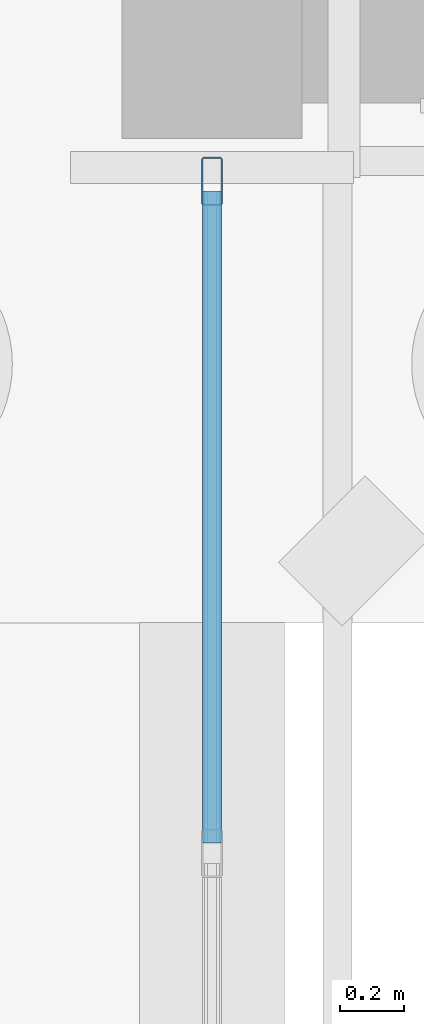
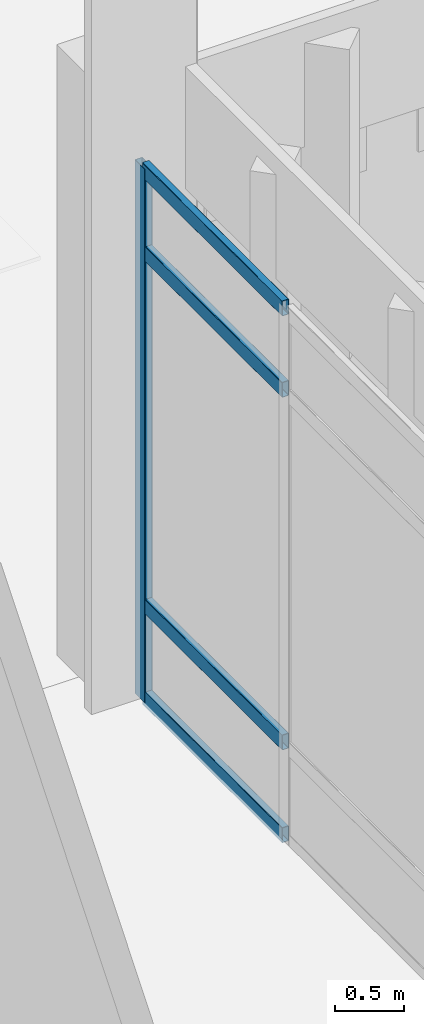
# One storey, part 42 of 109: 5 members, 1 element without a shape of its own.
"""IFC4 building model written with IfcOpenShell, lengths in metres."""

from ifc_helpers import new_model, si_unit, direction, frame, origin, origin_2d, place, context, subcontext, project, spatial, hollow_rectangle, extrude, material, material_profile, profile_set, type_object, element, aggregate, save


model = new_model("IFC4")

# Units and contexts
model_context = context("Model", 3, precision=1e-05, world=origin(), true_north=direction((0.0, 1.0)))
body_context = subcontext(model_context, "Body", "Model", "MODEL_VIEW")
ifc_project = project(units=[si_unit("LENGTHUNIT", "METRE"), si_unit("AREAUNIT", "SQUARE_METRE"), si_unit("VOLUMEUNIT", "CUBIC_METRE"), si_unit("PLANEANGLEUNIT", "RADIAN"), si_unit("MASSUNIT", "GRAM", prefix="KILO")], contexts=[model_context])

# Site, building, storey
site_placement = place(None, origin())
site = spatial("IfcSite", under=ifc_project, at=site_placement, CompositionType="ELEMENT")
building_placement = place(site_placement, origin())
building = spatial("IfcBuilding", under=site, at=building_placement, Name="Lusvemor Sports Hall", CompositionType="ELEMENT")
storey_placement = place(building_placement, origin())
storey = spatial("IfcBuildingStorey", under=building, at=storey_placement, Name="L00", CompositionType="ELEMENT", Elevation=0.0)

# Curtain wall, members
ifc_material_1 = material(Name="Thermally broken bronze-anodized aluminium", Category="aluminium")
curtain_wall_type = type_object("IfcCurtainWallType", Name="CW_WING_B", PredefinedType="NOTDEFINED", material=ifc_material_1)
curtain_wall_placement = place(storey_placement, origin())
curtain_wall = element("IfcCurtainWall", 1, at=curtain_wall_placement, inside=storey, type_object=curtain_wall_type, Name="Curtain Wall CW-L00-E-4-6", PredefinedType="NOTDEFINED")
ifc_material_2 = material(Name="Thermally broken bronze-anodized aluminium", Category="aluminium")
ifc_material_profile_1 = material_profile(ifc_material_2, hollow_rectangle(XDim=0.06494140625, YDim=0.14990234375, WallThickness=0.00390625, InnerFilletRadius=0.00390625, OuterFilletRadius=0.008056640625, at=origin_2d()), Name="CWMUL150x65x4")
ifc_profile_set_1 = profile_set([ifc_material_profile_1], Name="Thermally broken bronze-anodized aluminium")
member_type_1 = type_object("IfcMemberType", Name="CW_MUL_B", PredefinedType="MULLION", material=ifc_profile_set_1)
member_1_placement = place(storey_placement, frame((21.60009765625, 96.74755859375, 0.0), z_axis=(0.0, 0.0, 1.0), x_axis=(1.0, 0.0, 0.0)))
member_1 = element("IfcMember", 2, at=member_1_placement, type_object=member_type_1, Name="CW02 mullion 1", PredefinedType="MULLION", context=body_context, shape_type="SweptSolid", body=[
    extrude(hollow_rectangle(XDim=0.06494140625, YDim=0.14990234375, WallThickness=0.00390625, InnerFilletRadius=0.00390625, OuterFilletRadius=0.008056640625, at=origin_2d()), origin(), (0.0, 0.0, 1.0), 4.719970703125),
])
ifc_material_3 = material(Name="Thermally broken bronze-anodized aluminium", Category="aluminium")
ifc_material_profile_2 = material_profile(ifc_material_3, hollow_rectangle(XDim=0.06005859375, YDim=0.135009765625, WallThickness=0.00390625, InnerFilletRadius=0.00390625, OuterFilletRadius=0.008056640625, at=origin_2d()), Name="CWTRN135x60x4")
ifc_profile_set_2 = profile_set([ifc_material_profile_2], Name="Thermally broken bronze-anodized aluminium")
member_type_2 = type_object("IfcMemberType", Name="CW_TRN_B", PredefinedType="USERDEFINED", material=ifc_profile_set_2)
member_2_placement = place(storey_placement, frame((21.60009765625, 96.715087890625, 0.030029296875), z_axis=(0.0, -1.0, 0.0), x_axis=(1.0, 0.0, 0.0)))
member_2 = element("IfcMember", 3, at=member_2_placement, type_object=member_type_2, Name="CW02 transom 1.1", ObjectType="TRANSOM", PredefinedType="USERDEFINED", context=body_context, shape_type="SweptSolid", body=[
    extrude(hollow_rectangle(XDim=0.06005859375, YDim=0.135009765625, WallThickness=0.00390625, InnerFilletRadius=0.00390625, OuterFilletRadius=0.008056640625, at=origin_2d()), origin(), (0.0, 0.0, 1.0), 2.022705078125),
])
member_3_placement = place(storey_placement, frame((21.60009765625, 96.715087890625, 0.85009765625), z_axis=(0.0, -1.0, 0.0), x_axis=(1.0, 0.0, 0.0)))
member_3 = element("IfcMember", 4, at=member_3_placement, type_object=member_type_2, Name="CW02 transom 1.2", ObjectType="TRANSOM", PredefinedType="USERDEFINED", context=body_context, shape_type="SweptSolid", body=[
    extrude(hollow_rectangle(XDim=0.06005859375, YDim=0.135009765625, WallThickness=0.00390625, InnerFilletRadius=0.00390625, OuterFilletRadius=0.008056640625, at=origin_2d()), origin(), (0.0, 0.0, 1.0), 2.022705078125),
])
member_4_placement = place(storey_placement, frame((21.60009765625, 96.715087890625, 3.969970703125), z_axis=(0.0, -1.0, 0.0), x_axis=(1.0, 0.0, 0.0)))
member_4 = element("IfcMember", 5, at=member_4_placement, type_object=member_type_2, Name="CW02 transom 1.3", ObjectType="TRANSOM", PredefinedType="USERDEFINED", context=body_context, shape_type="SweptSolid", body=[
    extrude(hollow_rectangle(XDim=0.06005859375, YDim=0.135009765625, WallThickness=0.00390625, InnerFilletRadius=0.00390625, OuterFilletRadius=0.008056640625, at=origin_2d()), origin(), (0.0, 0.0, 1.0), 2.022705078125),
])
member_5_placement = place(storey_placement, frame((21.60009765625, 96.715087890625, 4.68994140625), z_axis=(0.0, -1.0, 0.0), x_axis=(1.0, 0.0, 0.0)))
member_5 = element("IfcMember", 6, at=member_5_placement, type_object=member_type_2, Name="CW02 transom 1.4", ObjectType="TRANSOM", PredefinedType="USERDEFINED", context=body_context, shape_type="SweptSolid", body=[
    extrude(hollow_rectangle(XDim=0.06005859375, YDim=0.135009765625, WallThickness=0.00390625, InnerFilletRadius=0.00390625, OuterFilletRadius=0.008056640625, at=origin_2d()), origin(), (0.0, 0.0, 1.0), 2.022705078125),
])
aggregate(curtain_wall, [member_1, member_2, member_3, member_4, member_5])

save(model, "model.ifc")
